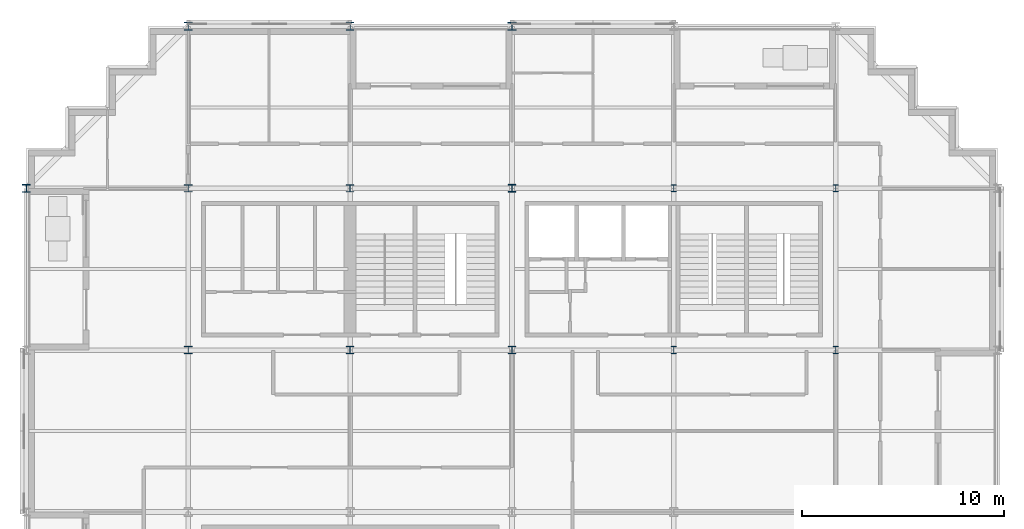
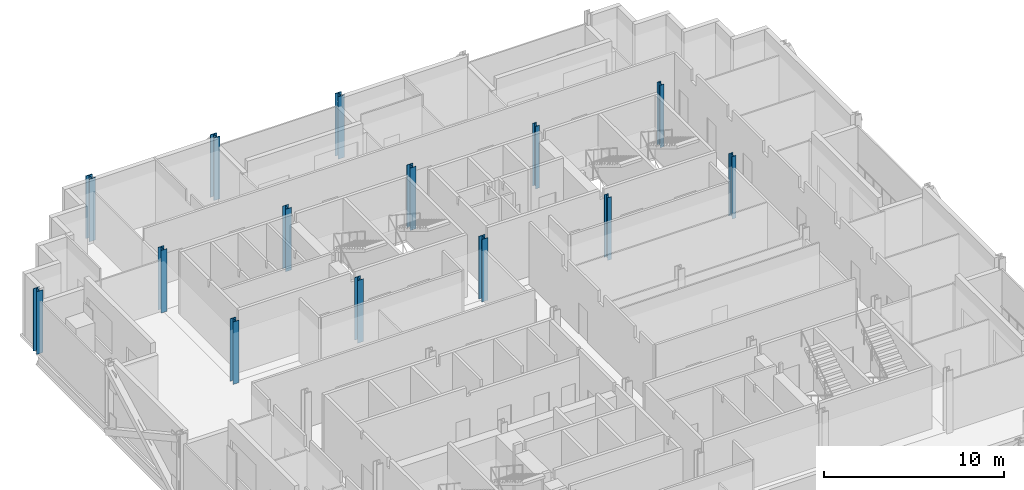
# One storey, part 2 of 15: 14 columns.
"""IFC4 building model written with IfcOpenShell, lengths in metres."""

from ifc_helpers import new_model, si_unit, direction, frame, origin, origin_2d, place, context, subcontext, project, spatial, i_section, extrude, material, material_profile, profile_set, type_object, element, save


model = new_model("IFC4")

# Units and contexts
model_context = context("Model", 3, precision=1e-05, world=origin(), true_north=direction((0.0, 1.0)))
body_context = subcontext(model_context, "Body", "Model", "MODEL_VIEW")
ifc_project = project(units=[si_unit("LENGTHUNIT", "METRE"), si_unit("AREAUNIT", "SQUARE_METRE"), si_unit("VOLUMEUNIT", "CUBIC_METRE"), si_unit("PLANEANGLEUNIT", "RADIAN"), si_unit("MASSUNIT", "GRAM", prefix="KILO")], contexts=[model_context])

# Site, building, storey
site_placement = place(None, origin())
site = spatial("IfcSite", under=ifc_project, at=site_placement, CompositionType="ELEMENT")
building_placement = place(site_placement, origin())
building = spatial("IfcBuilding", under=site, at=building_placement, Name="Immortelle Media Tower", CompositionType="ELEMENT")
storey_placement = place(building_placement, frame((0.0, 0.0, 100.800048828125)))
storey = spatial("IfcBuildingStorey", under=building, at=storey_placement, Name="L19", CompositionType="ELEMENT", Elevation=100.800048828125)

# Columns
ifc_material = material(Name="Steel ASTM A992 Gr 50", Category="steel")
ifc_material_profile_1 = material_profile(ifc_material, i_section(OverallWidth=0.373046875, OverallDepth=0.367919921875, WebThickness=0.014892578125, FlangeThickness=0.02392578125, at=origin_2d()), Name="W14x120")
ifc_profile_set_1 = profile_set([ifc_material_profile_1], Name="Steel ASTM A992 Gr 50")
column_type_1 = type_object("IfcColumnType", Name="W14x120 column", PredefinedType="COLUMN", material=ifc_profile_set_1)
for number, where, z_axis, x_axis, name in (
    (1, (8.0, 32.0, 0.0), (0.0, 0.0, 1.0), (1.0, 0.0, 0.0), "Column 2/E"),
    (2, (8.0, 40.0, 0.0), (0.0, 0.0, 1.0), (1.0, 0.0, 0.0), "Column 2/F"),
    (3, (16.0, 32.0, 0.0), (0.0, 0.0, 1.0), (1.0, 0.0, 0.0), "Column 3/E"),
    (4, (16.0, 40.0, 0.0), (0.0, 0.0, 1.0), (1.0, 0.0, 0.0), "Column 3/F"),
):
    element("IfcColumn", number, at=place(storey_placement, frame(where, z_axis=z_axis, x_axis=x_axis)), inside=storey, type_object=column_type_1, Name=name, PredefinedType="COLUMN", context=body_context, shape_type="SweptSolid", body=[
        extrude(i_section(OverallWidth=0.373046875, OverallDepth=0.367919921875, WebThickness=0.014892578125, FlangeThickness=0.02392578125, at=origin_2d()), origin(), (0.0, 0.0, 1.0), 4.25),
    ])
ifc_material_profile_2 = material_profile(ifc_material, i_section(OverallWidth=0.39404296875, OverallDepth=0.3759765625, WebThickness=0.01708984375, FlangeThickness=0.028076171875, at=origin_2d()), Name="W14x145")
ifc_profile_set_2 = profile_set([ifc_material_profile_2], Name="Steel ASTM A992 Gr 50")
column_type_2 = type_object("IfcColumnType", Name="W14x145 column", PredefinedType="COLUMN", material=ifc_profile_set_2)
for number, where, z_axis, x_axis, name in (
    (5, (24.0, 32.0, 0.0), (0.0, 0.0, 1.0), (1.0, 0.0, 0.0), "Column 4/E"),
    (6, (24.0, 40.0, 0.0), (0.0, 0.0, 1.0), (1.0, 0.0, 0.0), "Column 4/F"),
):
    element("IfcColumn", number, at=place(storey_placement, frame(where, z_axis=z_axis, x_axis=x_axis)), inside=storey, type_object=column_type_2, Name=name, PredefinedType="COLUMN", context=body_context, shape_type="SweptSolid", body=[
        extrude(i_section(OverallWidth=0.39404296875, OverallDepth=0.3759765625, WebThickness=0.01708984375, FlangeThickness=0.028076171875, at=origin_2d()), origin(), (0.0, 0.0, 1.0), 4.25),
    ])
ifc_material_profile_3 = material_profile(ifc_material, i_section(OverallWidth=0.39892578125, OverallDepth=0.385986328125, WebThickness=0.02099609375, FlangeThickness=0.032958984375, at=origin_2d()), Name="W14x176")
ifc_profile_set_3 = profile_set([ifc_material_profile_3], Name="Steel ASTM A992 Gr 50")
column_type_3 = type_object("IfcColumnType", Name="W14x176 column", PredefinedType="COLUMN", material=ifc_profile_set_3)
for number, where, z_axis, x_axis, name in (
    (7, (0.0, 40.0, 0.0), (0.0, 0.0, 1.0), (1.0, 0.0, 0.0), "Column 1/F"),
    (8, (24.0, 48.0, 0.0), (0.0, 0.0, 1.0), (1.0, 0.0, 0.0), "Column 4/G"),
):
    element("IfcColumn", number, at=place(storey_placement, frame(where, z_axis=z_axis, x_axis=x_axis)), inside=storey, type_object=column_type_3, Name=name, PredefinedType="COLUMN", context=body_context, shape_type="SweptSolid", body=[
        extrude(i_section(OverallWidth=0.39892578125, OverallDepth=0.385986328125, WebThickness=0.02099609375, FlangeThickness=0.032958984375, at=origin_2d()), origin(), (0.0, 0.0, 1.0), 4.25),
    ])
ifc_material_profile_4 = material_profile(ifc_material, i_section(OverallWidth=0.406005859375, OverallDepth=0.4169921875, WebThickness=0.030029296875, FlangeThickness=0.048095703125, at=origin_2d()), Name="W14x257")
ifc_profile_set_4 = profile_set([ifc_material_profile_4], Name="Steel ASTM A992 Gr 50")
column_type_4 = type_object("IfcColumnType", Name="W14x257 column", PredefinedType="COLUMN", material=ifc_profile_set_4)
for number, where, z_axis, x_axis, name in (
    (9, (8.0, 48.0, 0.0), (0.0, 0.0, 1.0), (1.0, 0.0, 0.0), "Column 2/G"),
    (10, (16.0, 48.0, 0.0), (0.0, 0.0, 1.0), (1.0, 0.0, 0.0), "Column 3/G"),
):
    element("IfcColumn", number, at=place(storey_placement, frame(where, z_axis=z_axis, x_axis=x_axis)), inside=storey, type_object=column_type_4, Name=name, PredefinedType="COLUMN", context=body_context, shape_type="SweptSolid", body=[
        extrude(i_section(OverallWidth=0.406005859375, OverallDepth=0.4169921875, WebThickness=0.030029296875, FlangeThickness=0.048095703125, at=origin_2d()), origin(), (0.0, 0.0, 1.0), 4.25),
    ])
ifc_material_profile_5 = material_profile(ifc_material, i_section(OverallWidth=0.257080078125, OverallDepth=0.363037109375, WebThickness=0.012939453125, FlangeThickness=0.02197265625, at=origin_2d()), Name="W14x82")
ifc_profile_set_5 = profile_set([ifc_material_profile_5], Name="Steel ASTM A992 Gr 50")
column_type_5 = type_object("IfcColumnType", Name="W14x82 column", PredefinedType="COLUMN", material=ifc_profile_set_5)
for number, where, z_axis, x_axis, name in (
    (11, (32.0, 32.0, 0.0), (0.0, 0.0, 1.0), (1.0, 0.0, 0.0), "Column 5/E"),
    (12, (32.0, 40.0, 0.0), (0.0, 0.0, 1.0), (1.0, 0.0, 0.0), "Column 5/F"),
    (13, (40.0, 32.0, 0.0), (0.0, 0.0, 1.0), (1.0, 0.0, 0.0), "Column 6/E"),
    (14, (40.0, 40.0, 0.0), (0.0, 0.0, 1.0), (1.0, 0.0, 0.0), "Column 6/F"),
):
    element("IfcColumn", number, at=place(storey_placement, frame(where, z_axis=z_axis, x_axis=x_axis)), inside=storey, type_object=column_type_5, Name=name, PredefinedType="COLUMN", context=body_context, shape_type="SweptSolid", body=[
        extrude(i_section(OverallWidth=0.257080078125, OverallDepth=0.363037109375, WebThickness=0.012939453125, FlangeThickness=0.02197265625, at=origin_2d()), origin(), (0.0, 0.0, 1.0), 4.25),
    ])

save(model, "model.ifc")
